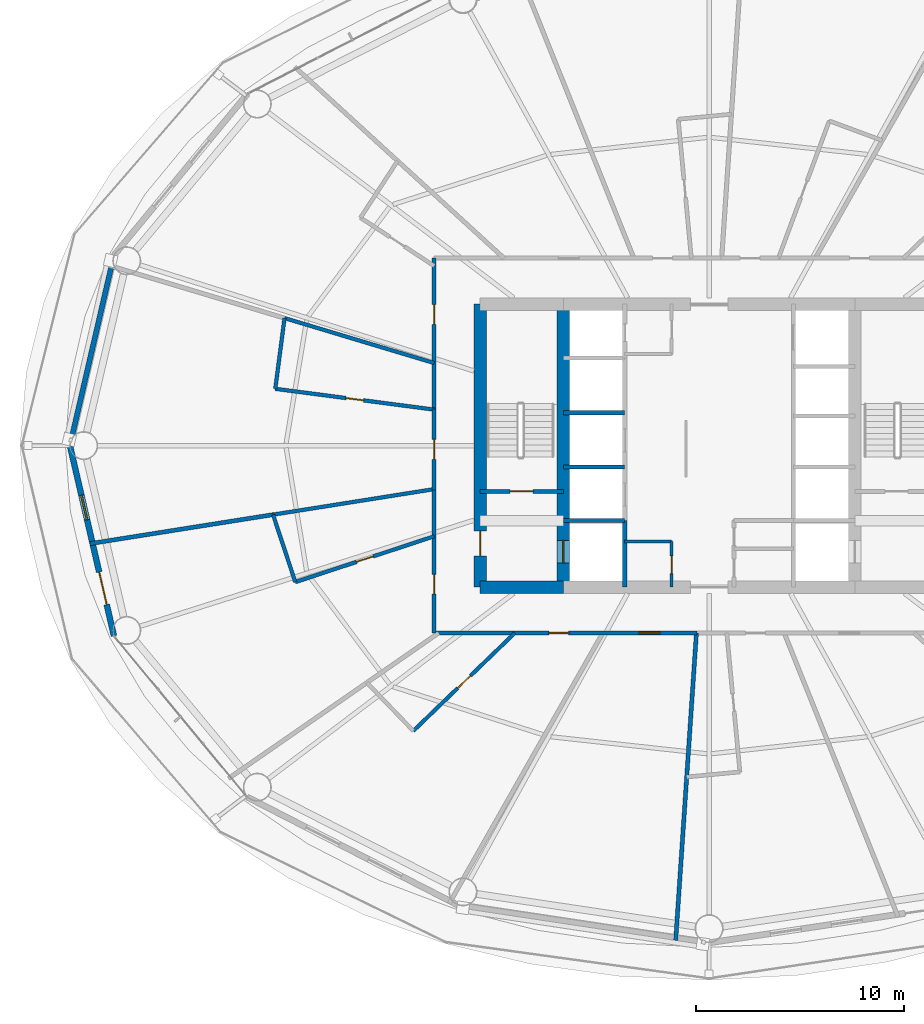
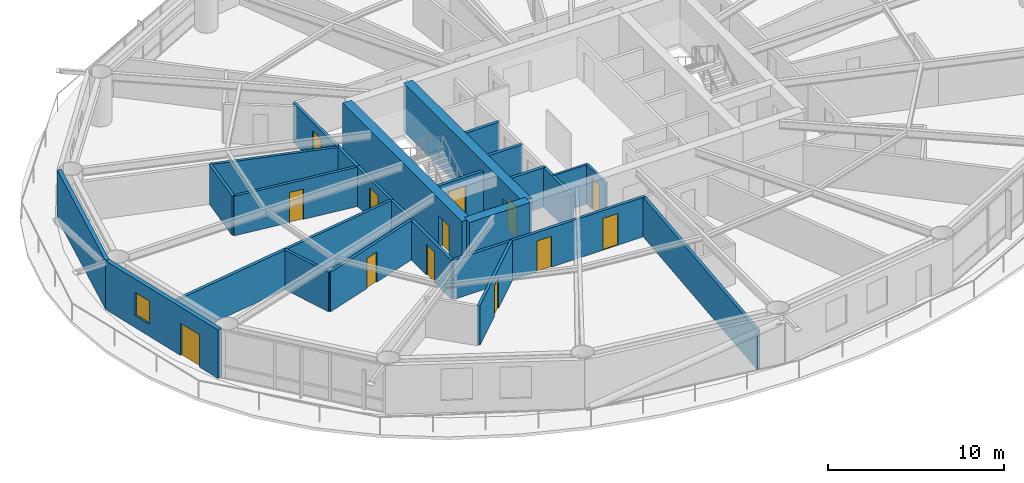
# One storey, part 20 of 26: 25 walls, 13 doors, 1 window, 14 openings.
"""IFC4 building model written with IfcOpenShell, lengths in metres."""

from ifc_helpers import new_model, si_unit, direction, frame, frame_2d, origin, place, context, subcontext, project, spatial, rectangle, extrude, material, layer, layer_set, type_object, element, fill, save


model = new_model("IFC4")

# Units and contexts
model_context = context("Model", 3, precision=1e-05, world=origin(), true_north=direction((0.0, 1.0)))
body_context = subcontext(model_context, "Body", "Model", "MODEL_VIEW")
ifc_project = project(units=[si_unit("LENGTHUNIT", "METRE"), si_unit("AREAUNIT", "SQUARE_METRE"), si_unit("VOLUMEUNIT", "CUBIC_METRE"), si_unit("PLANEANGLEUNIT", "RADIAN"), si_unit("MASSUNIT", "GRAM", prefix="KILO")], contexts=[model_context])

# Site, building, storey
site_placement = place(None, origin())
site = spatial("IfcSite", under=ifc_project, at=site_placement, CompositionType="ELEMENT")
building_placement = place(site_placement, origin())
building = spatial("IfcBuilding", under=site, at=building_placement, Name="Sarneth Arch Tower", CompositionType="ELEMENT")
storey_placement = place(building_placement, frame((0.0, 0.0, 60.60009765625)))
storey = spatial("IfcBuildingStorey", under=building, at=storey_placement, Name="L14", CompositionType="ELEMENT", Elevation=60.60009765625)

# Wall
ifc_material_1 = material(Name="Concrete C60/75", Category="concrete")
ifc_layer_1 = layer(ifc_material_1, 0.60009765625)
ifc_layer_set_1 = layer_set([ifc_layer_1], Name="Concrete C60/75")
wall_type_1 = type_object("IfcWallType", Name="WALL-CORE-600", PredefinedType="SHEAR", material=ifc_layer_set_1)
wall_1_placement = place(storey_placement, frame((37.0, 35.199951171875, 0.0), z_axis=(0.0, 0.0, 1.0), x_axis=(1.0, 0.0, 0.0)))
element("IfcWall", 1, at=wall_1_placement, inside=storey, type_object=wall_type_1, Name="L14 Core shear wall S-W", PredefinedType="SHEAR", context=body_context, shape_type="SweptSolid", body=[
    extrude(rectangle(XDim=4.0, YDim=0.60009765625, at=frame_2d((2.0, 0.0))), origin(), (0.0, 0.0, 1.0), 3.3798828125),
])

# Wall, opening, door
wall_2_placement = place(storey_placement, frame((37.0, 35.199951171875, 0.0), z_axis=(0.0, 0.0, 1.0), x_axis=(0.0, 1.0, 0.0)))
wall_2 = element("IfcWall", 2, at=wall_2_placement, inside=storey, type_object=wall_type_1, Name="L14 Core shear wall W", PredefinedType="SHEAR", context=body_context, shape_type="SweptSolid", body=[
    extrude(rectangle(XDim=13.60009765625, YDim=0.60009765625, at=frame_2d((6.800048828125, 0.0))), origin(), (0.0, 0.0, 1.0), 3.3798828125),
])
opening_1_placement = place(wall_2_placement, frame((1.5, 0.0, 0.0)))
opening_1 = element("IfcOpeningElement", 3, at=opening_1_placement, cuts=wall_2, Name="Opening FD-02", PredefinedType="OPENING", context=body_context, shape_type="SweptSolid", body=[
    extrude(rectangle(XDim=1.199951171875, YDim=2.14990234375, at=frame_2d((0.60009765625, 1.074951171875))), frame((0.0, 0.31005859375, 0.0), z_axis=(0.0, -1.0, 0.0), x_axis=(1.0, 0.0, 0.0)), (0.0, 0.0, 1.0), 0.6201171875),
])
ifc_material_2 = material(Name="Galvanised Steel S275 fire door set", Category="steel")
door_type_1 = type_object("IfcDoorType", Name="DR-FD90-1200", OperationType="SINGLE_SWING_LEFT", PredefinedType="DOOR", material=ifc_material_2)
door_1_placement = place(opening_1_placement, origin())
door_1 = element("IfcDoor", 4, at=door_1_placement, inside=storey, type_object=door_type_1, Name="L14 Firefighting lobby 1 exit door", OperationType="SINGLE_SWING_LEFT", OverallHeight=2.14990234375, OverallWidth=1.199951171875, PredefinedType="DOOR", context=body_context, shape_type="SweptSolid", body=[
    extrude(rectangle(XDim=1.199951171875, YDim=2.14990234375, at=frame_2d((0.60009765625, 1.074951171875))), frame((0.0, 0.02490234375, 0.0), z_axis=(0.0, -1.0, 0.0), x_axis=(1.0, 0.0, 0.0)), (0.0, 0.0, 1.0), 0.050048828125),
])
fill(opening_1, door_1)

wall_3_placement = place(storey_placement, frame((41.0, 35.199951171875, 0.0), z_axis=(0.0, 0.0, 1.0), x_axis=(0.0, 1.0, 0.0)))
wall_3 = element("IfcWall", 5, at=wall_3_placement, inside=storey, type_object=wall_type_1, Name="L14 Core shear wall WEB-W", PredefinedType="SHEAR", context=body_context, shape_type="SweptSolid", body=[
    extrude(rectangle(XDim=13.60009765625, YDim=0.60009765625, at=frame_2d((6.800048828125, 0.0))), origin(), (0.0, 0.0, 1.0), 3.3798828125),
])
opening_2_placement = place(wall_3_placement, frame((1.14990234375, 0.0, 0.0)))
opening_2 = element("IfcOpeningElement", 6, at=opening_2_placement, cuts=wall_3, Name="Opening LD-1", PredefinedType="OPENING", context=body_context, shape_type="SweptSolid", body=[
    extrude(rectangle(XDim=1.10009765625, YDim=2.199951171875, at=frame_2d((0.550048828125, 1.10009765625))), frame((0.0, 0.31005859375, 0.0), z_axis=(0.0, -1.0, 0.0), x_axis=(1.0, 0.0, 0.0)), (0.0, 0.0, 1.0), 0.6201171875),
])
ifc_material_3 = material(Name="Brushed Stainless Steel 304 lift landing door", Category="steel")
door_type_2 = type_object("IfcDoorType", Name="DR-LIFT-SLIDE-1100", OperationType="SLIDING_TO_LEFT", PredefinedType="DOOR", material=ifc_material_3)
door_2_placement = place(opening_2_placement, origin())
door_2 = element("IfcDoor", 7, at=door_2_placement, inside=storey, type_object=door_type_2, Name="L14 Firefighting lift landing door FL-1", OperationType="SLIDING_TO_LEFT", OverallHeight=2.199951171875, OverallWidth=1.10009765625, PredefinedType="DOOR", context=body_context, shape_type="SweptSolid", body=[
    extrude(rectangle(XDim=1.10009765625, YDim=2.199951171875, at=frame_2d((0.550048828125, 1.10009765625))), frame((0.0, 0.02490234375, 0.0), z_axis=(0.0, -1.0, 0.0), x_axis=(1.0, 0.0, 0.0)), (0.0, 0.0, 1.0), 0.050048828125),
])
fill(opening_2, door_2)

ifc_material_4 = material(Name="Double steel-stud corridor fire wall", Category="steel")
ifc_layer_2 = layer(ifc_material_4, 0.18994140625)
ifc_layer_set_2 = layer_set([ifc_layer_2], Name="Double steel-stud corridor fire wall")
wall_type_2 = type_object("IfcWallType", Name="WALL-CORR-190", PredefinedType="PARTITIONING", material=ifc_layer_set_2)
wall_4_placement = place(storey_placement, frame((34.800048828125, 43.727783203125, 0.0), z_axis=(0.0, 0.0, 1.0), x_axis=(0.0, 1.0, 0.0)))
wall_4 = element("IfcWall", 8, at=wall_4_placement, inside=storey, type_object=wall_type_2, Name="L14 Interior partition W-L14-TP-010", PredefinedType="PARTITIONING", context=body_context, shape_type="SweptSolid", body=[
    extrude(rectangle(XDim=7.272216796875, YDim=0.18994140625, at=frame_2d((3.63623046875, 0.0))), origin(), (0.0, 0.0, 1.0), 2.739990234375),
])
opening_3_placement = place(wall_4_placement, frame((4.095703125, 0.0, 0.0)))
opening_3 = element("IfcOpeningElement", 9, at=opening_3_placement, cuts=wall_4, Name="Opening FD-09", PredefinedType="OPENING", context=body_context, shape_type="SweptSolid", body=[
    extrude(rectangle(XDim=0.949951171875, YDim=2.14990234375, at=frame_2d((0.47509765625, 1.074951171875))), frame((0.0, 0.10498046875, 0.0), z_axis=(0.0, -1.0, 0.0), x_axis=(1.0, 0.0, 0.0)), (0.0, 0.0, 1.0), 0.2099609375),
])
ifc_material_5 = material(Name="Hardwood timber hotel entrance fire door", Category="wood")
door_type_3 = type_object("IfcDoorType", Name="DR-FD60-950", OperationType="SINGLE_SWING_RIGHT", PredefinedType="DOOR", material=ifc_material_5)
door_3_placement = place(opening_3_placement, origin())
door_3 = element("IfcDoor", 10, at=door_3_placement, inside=storey, type_object=door_type_3, Name="L14 Interior door DR-L14-KEY-06", OperationType="SINGLE_SWING_RIGHT", OverallHeight=2.14990234375, OverallWidth=0.949951171875, PredefinedType="DOOR", context=body_context, shape_type="SweptSolid", body=[
    extrude(rectangle(XDim=0.949951171875, YDim=2.14990234375, at=frame_2d((0.47509765625, 1.074951171875))), frame((0.0, 0.02490234375, 0.0), z_axis=(0.0, -1.0, 0.0), x_axis=(1.0, 0.0, 0.0)), (0.0, 0.0, 1.0), 0.050048828125),
])
fill(opening_3, door_3)

wall_5_placement = place(storey_placement, frame((34.800048828125, 33.0, 0.0), z_axis=(0.0, 0.0, 1.0), x_axis=(0.0, 1.0, 0.0)))
wall_5 = element("IfcWall", 11, at=wall_5_placement, inside=storey, type_object=wall_type_2, Name="L14 Interior partition W-L14-TP-016", PredefinedType="PARTITIONING", context=body_context, shape_type="SweptSolid", body=[
    extrude(rectangle(XDim=6.941650390625, YDim=0.18994140625, at=frame_2d((3.470703125, 0.0))), origin(), (0.0, 0.0, 1.0), 2.739990234375),
])
opening_4_placement = place(wall_5_placement, frame((1.864501953125, 0.0, 0.0)))
opening_4 = element("IfcOpeningElement", 12, at=opening_4_placement, cuts=wall_5, Name="Opening FD-09", PredefinedType="OPENING", context=body_context, shape_type="SweptSolid", body=[
    extrude(rectangle(XDim=0.949951171875, YDim=2.14990234375, at=frame_2d((0.47509765625, 1.074951171875))), frame((0.0, 0.10498046875, 0.0), z_axis=(0.0, -1.0, 0.0), x_axis=(1.0, 0.0, 0.0)), (0.0, 0.0, 1.0), 0.2099609375),
])
door_4_placement = place(opening_4_placement, origin())
door_4 = element("IfcDoor", 13, at=door_4_placement, inside=storey, type_object=door_type_3, Name="L14 Interior door DR-L14-KEY-08", OperationType="SINGLE_SWING_LEFT", OverallHeight=2.14990234375, OverallWidth=0.949951171875, PredefinedType="DOOR", context=body_context, shape_type="SweptSolid", body=[
    extrude(rectangle(XDim=0.949951171875, YDim=2.14990234375, at=frame_2d((0.47509765625, 1.074951171875))), frame((0.0, 0.02490234375, 0.0), z_axis=(0.0, -1.0, 0.0), x_axis=(1.0, 0.0, 0.0)), (0.0, 0.0, 1.0), 0.050048828125),
])
fill(opening_4, door_4)

# Wall, openings, doors
wall_6_placement = place(storey_placement, frame((47.42529296875, 33.0, 0.0), z_axis=(0.0, 0.0, 1.0), x_axis=(-1.0, 0.0, 0.0)))
wall_6 = element("IfcWall", 14, at=wall_6_placement, inside=storey, type_object=wall_type_2, Name="L14 Interior partition W-L14-TP-020", PredefinedType="PARTITIONING", context=body_context, shape_type="SweptSolid", body=[
    extrude(rectangle(XDim=12.625244140625, YDim=0.18994140625, at=frame_2d((6.3125, 0.0))), origin(), (0.0, 0.0, 1.0), 2.739990234375),
])
opening_5_placement = place(wall_6_placement, frame((1.784423828125, 0.0, 0.0)))
opening_5 = element("IfcOpeningElement", 15, at=opening_5_placement, cuts=wall_6, Name="Opening FD-08", PredefinedType="OPENING", context=body_context, shape_type="SweptSolid", body=[
    extrude(rectangle(XDim=1.0, YDim=2.199951171875, at=frame_2d((0.5, 1.10009765625))), frame((0.0, 0.10498046875, 0.0), z_axis=(0.0, -1.0, 0.0), x_axis=(1.0, 0.0, 0.0)), (0.0, 0.0, 1.0), 0.2099609375),
])
opening_6_placement = place(wall_6_placement, frame((6.1728515625, 0.0, 0.0)))
opening_6 = element("IfcOpeningElement", 16, at=opening_6_placement, cuts=wall_6, Name="Opening FD-09", PredefinedType="OPENING", context=body_context, shape_type="SweptSolid", body=[
    extrude(rectangle(XDim=0.949951171875, YDim=2.14990234375, at=frame_2d((0.47509765625, 1.074951171875))), frame((0.0, 0.10498046875, 0.0), z_axis=(0.0, -1.0, 0.0), x_axis=(1.0, 0.0, 0.0)), (0.0, 0.0, 1.0), 0.2099609375),
])
ifc_material_6 = material(Name="Hardwood timber acoustic fire door", Category="wood")
door_type_4 = type_object("IfcDoorType", Name="DR-FD60-1000", OperationType="SINGLE_SWING_LEFT", PredefinedType="DOOR", material=ifc_material_6)
door_5_placement = place(opening_5_placement, origin())
door_5 = element("IfcDoor", 17, at=door_5_placement, inside=storey, type_object=door_type_4, Name="L14 Interior door DR-L14-AMN-10", OperationType="SINGLE_SWING_RIGHT", OverallHeight=2.199951171875, OverallWidth=1.0, PredefinedType="DOOR", context=body_context, shape_type="SweptSolid", body=[
    extrude(rectangle(XDim=1.0, YDim=2.199951171875, at=frame_2d((0.5, 1.10009765625))), frame((0.0, 0.02490234375, 0.0), z_axis=(0.0, -1.0, 0.0), x_axis=(1.0, 0.0, 0.0)), (0.0, 0.0, 1.0), 0.050048828125),
])
fill(opening_5, door_5)
door_6_placement = place(opening_6_placement, origin())
door_6 = element("IfcDoor", 18, at=door_6_placement, inside=storey, type_object=door_type_3, Name="L14 Interior door DR-L14-KEY-09", OperationType="SINGLE_SWING_RIGHT", OverallHeight=2.14990234375, OverallWidth=0.949951171875, PredefinedType="DOOR", context=body_context, shape_type="SweptSolid", body=[
    extrude(rectangle(XDim=0.949951171875, YDim=2.14990234375, at=frame_2d((0.47509765625, 1.074951171875))), frame((0.0, 0.02490234375, 0.0), z_axis=(0.0, -1.0, 0.0), x_axis=(1.0, 0.0, 0.0)), (0.0, 0.0, 1.0), 0.050048828125),
])
fill(opening_6, door_6)

# Wall, opening, door
wall_7_placement = place(storey_placement, frame((34.800048828125, 39.876953125, 0.0), z_axis=(0.0, 0.0, 1.0), x_axis=(0.0, 1.0, 0.0)))
wall_7 = element("IfcWall", 19, at=wall_7_placement, inside=storey, type_object=wall_type_2, Name="L14 Interior partition W-L14-TP-013", PredefinedType="PARTITIONING", context=body_context, shape_type="SweptSolid", body=[
    extrude(rectangle(XDim=3.883056640625, YDim=0.18994140625, at=frame_2d((1.94140625, 0.0))), origin(), (0.0, 0.0, 1.0), 2.739990234375),
])
opening_7_placement = place(wall_7_placement, frame((1.466552734375, 0.0, 0.0)))
opening_7 = element("IfcOpeningElement", 20, at=opening_7_placement, cuts=wall_7, Name="Opening FD-09", PredefinedType="OPENING", context=body_context, shape_type="SweptSolid", body=[
    extrude(rectangle(XDim=0.949951171875, YDim=2.14990234375, at=frame_2d((0.47509765625, 1.074951171875))), frame((0.0, 0.10498046875, 0.0), z_axis=(0.0, -1.0, 0.0), x_axis=(1.0, 0.0, 0.0)), (0.0, 0.0, 1.0), 0.2099609375),
])
door_7_placement = place(opening_7_placement, origin())
door_7 = element("IfcDoor", 21, at=door_7_placement, inside=storey, type_object=door_type_3, Name="L14 Interior door DR-L14-KEY-07", OperationType="SINGLE_SWING_LEFT", OverallHeight=2.14990234375, OverallWidth=0.949951171875, PredefinedType="DOOR", context=body_context, shape_type="SweptSolid", body=[
    extrude(rectangle(XDim=0.949951171875, YDim=2.14990234375, at=frame_2d((0.47509765625, 1.074951171875))), frame((0.0, 0.02490234375, 0.0), z_axis=(0.0, -1.0, 0.0), x_axis=(1.0, 0.0, 0.0)), (0.0, 0.0, 1.0), 0.050048828125),
])
fill(opening_7, door_7)

# Wall
ifc_material_7 = material(Name="Extruded terracotta rainscreen on Concrete C40/50 backing", Category="masonry")
ifc_layer_3 = layer(ifc_material_7, 0.25)
ifc_layer_set_3 = layer_set([ifc_layer_3], Name="Extruded terracotta rainscreen on Concrete C40/50 backing")
wall_type_3 = type_object("IfcWallType", Name="WALL-EXT-SPAND-250", PredefinedType="SOLIDWALL", material=ifc_layer_set_3)
wall_8_placement = place(storey_placement, frame((19.4189453125, 51.138427734375, 0.0), z_axis=(0.0, 0.0, 1.0), x_axis=(-0.225454452941, -0.974253709076, 0.0)))
element("IfcWall", 22, at=wall_8_placement, inside=storey, type_object=wall_type_3, Name="L14 Terracotta perimeter wall 08", PredefinedType="SOLIDWALL", context=body_context, shape_type="SweptSolid", body=[
    extrude(rectangle(XDim=9.3798828125, YDim=0.25, at=frame_2d((4.68994140625, 0.0))), origin(), (0.0, 0.0, 1.0), 3.3798828125),
])

# Wall, openings, door, window
ifc_material_8 = material(Name="Extruded terracotta rainscreen on Concrete C40/50 backing", Category="masonry")
ifc_layer_4 = layer(ifc_material_8, 0.280029296875)
ifc_layer_set_4 = layer_set([ifc_layer_4], Name="Extruded terracotta rainscreen on Concrete C40/50 backing")
wall_type_4 = type_object("IfcWallType", Name="WALL-EXT-TERRA-280", PredefinedType="SOLIDWALL", material=ifc_layer_set_4)
wall_9_placement = place(storey_placement, frame((17.30419921875, 42.0, 0.0), z_axis=(0.0, 0.0, 1.0), x_axis=(0.225454452941, -0.974253709076, 0.0)))
wall_9 = element("IfcWall", 23, at=wall_9_placement, inside=storey, type_object=wall_type_4, Name="L14 Terracotta perimeter wall 09", PredefinedType="SOLIDWALL", context=body_context, shape_type="SweptSolid", body=[
    extrude(rectangle(XDim=9.3798828125, YDim=0.280029296875, at=frame_2d((4.68994140625, 0.0))), origin(), (0.0, 0.0, 1.0), 3.3798828125),
])
opening_8_placement = place(wall_9_placement, frame((2.4521484375, 0.0, 0.85009765625)))
opening_8 = element("IfcOpeningElement", 24, at=opening_8_placement, cuts=wall_9, Name="Opening W-10", PredefinedType="OPENING", context=body_context, shape_type="SweptSolid", body=[
    extrude(rectangle(XDim=1.199951171875, YDim=1.60009765625, at=frame_2d((0.60009765625, 0.800048828125))), frame((0.0, 0.14990234375, 0.0), z_axis=(0.0, -1.0, 0.0), x_axis=(1.0, 0.0, 0.0)), (0.0, 0.0, 1.0), 0.300048828125),
])
opening_9_placement = place(wall_9_placement, frame((6.235107421875, 0.0, 0.0)))
opening_9 = element("IfcOpeningElement", 25, at=opening_9_placement, cuts=wall_9, Name="Opening BD-1", PredefinedType="OPENING", context=body_context, shape_type="SweptSolid", body=[
    extrude(rectangle(XDim=1.60009765625, YDim=2.25, at=frame_2d((0.800048828125, 1.125))), frame((0.0, 0.14990234375, 0.0), z_axis=(0.0, -1.0, 0.0), x_axis=(1.0, 0.0, 0.0)), (0.0, 0.0, 1.0), 0.300048828125),
])
ifc_material_9 = material(Name="Thermally broken Aluminium 6063-T6 and laminated safety glass", Category="aluminium")
door_type_5 = type_object("IfcDoorType", Name="DR-BALC-GLZ-1600", OperationType="DOUBLE_DOOR_SINGLE_SWING", PredefinedType="DOOR", material=ifc_material_9)
door_8_placement = place(opening_9_placement, origin())
door_8 = element("IfcDoor", 26, at=door_8_placement, inside=storey, type_object=door_type_5, Name="L14 Balcony glazed door 09", OperationType="DOUBLE_DOOR_SINGLE_SWING", OverallHeight=2.25, OverallWidth=1.60009765625, PredefinedType="DOOR", context=body_context, shape_type="SweptSolid", body=[
    extrude(rectangle(XDim=1.60009765625, YDim=2.25, at=frame_2d((0.800048828125, 1.125))), frame((0.0, 0.02490234375, 0.0), z_axis=(0.0, -1.0, 0.0), x_axis=(1.0, 0.0, 0.0)), (0.0, 0.0, 1.0), 0.050048828125),
])
fill(opening_9, door_8)
ifc_material_10 = material(Name="Thermally broken Aluminium 6063-T6 and low-e laminated IGU", Category="aluminium")
window_type = type_object("IfcWindowType", Name="WIN-TWR-1200x1600", PartitioningType="SINGLE_PANEL", PredefinedType="WINDOW", material=ifc_material_10)
window_placement = place(opening_8_placement, origin())
window = element("IfcWindow", 27, at=window_placement, inside=storey, type_object=window_type, Name="L14 Exterior window 09A", OverallHeight=1.60009765625, OverallWidth=1.199951171875, PartitioningType="SINGLE_PANEL", PredefinedType="WINDOW", context=body_context, shape_type="SweptSolid", body=[
    extrude(rectangle(XDim=1.199951171875, YDim=1.60009765625, at=frame_2d((0.60009765625, 0.800048828125))), frame((0.0, 0.030029296875, 0.0), z_axis=(0.0, -1.0, 0.0), x_axis=(1.0, 0.0, 0.0)), (0.0, 0.0, 1.0), 0.06005859375),
])
fill(opening_8, window)

# Wall
ifc_material_11 = material(Name="Acoustic gypsum stud partition", Category="gypsum")
ifc_layer_5 = layer(ifc_material_11, 0.14990234375)
ifc_layer_set_5 = layer_set([ifc_layer_5], Name="Acoustic gypsum stud partition")
wall_type_5 = type_object("IfcWallType", Name="WALL-PART-150", PredefinedType="PARTITIONING", material=ifc_layer_set_5)
wall_10_placement = place(storey_placement, frame((43.949951171875, 37.39990234375, 0.0), z_axis=(0.0, 0.0, 1.0), x_axis=(1.0, 0.0, 0.0)))
element("IfcWall", 28, at=wall_10_placement, inside=storey, type_object=wall_type_5, Name="L14 Interior partition W-L14-CSUP1-N", PredefinedType="PARTITIONING", context=body_context, shape_type="SweptSolid", body=[
    extrude(rectangle(XDim=2.25, YDim=0.14990234375, at=frame_2d((1.125, 0.0))), origin(), (0.0, 0.0, 1.0), 2.739990234375),
])

# Wall, opening, door
wall_11_placement = place(storey_placement, frame((46.199951171875, 35.199951171875, 0.0), z_axis=(0.0, 0.0, 1.0), x_axis=(0.0, 1.0, 0.0)))
wall_11 = element("IfcWall", 29, at=wall_11_placement, inside=storey, type_object=wall_type_5, Name="L14 Interior partition W-L14-CSUP1-E", PredefinedType="PARTITIONING", context=body_context, shape_type="SweptSolid", body=[
    extrude(rectangle(XDim=2.199951171875, YDim=0.14990234375, at=frame_2d((1.10009765625, 0.0))), origin(), (0.0, 0.0, 1.0), 2.739990234375),
])
opening_10_placement = place(wall_11_placement, frame((0.64990234375, 0.0, 0.0)))
opening_10 = element("IfcOpeningElement", 30, at=opening_10_placement, cuts=wall_11, Name="Opening FD-11", PredefinedType="OPENING", context=body_context, shape_type="SweptSolid", body=[
    extrude(rectangle(XDim=0.85009765625, YDim=2.14990234375, at=frame_2d((0.425048828125, 1.074951171875))), frame((0.0, 0.0849609375, 0.0), z_axis=(0.0, -1.0, 0.0), x_axis=(1.0, 0.0, 0.0)), (0.0, 0.0, 1.0), 0.169921875),
])
ifc_material_12 = material(Name="Galvanised Steel S275 closet fire door", Category="steel")
door_type_6 = type_object("IfcDoorType", Name="DR-FD60-850", OperationType="SINGLE_SWING_LEFT", PredefinedType="DOOR", material=ifc_material_12)
door_9_placement = place(opening_10_placement, origin())
door_9 = element("IfcDoor", 31, at=door_9_placement, inside=storey, type_object=door_type_6, Name="L14 Interior door DR-L14-CSUP1", OperationType="SINGLE_SWING_LEFT", OverallHeight=2.14990234375, OverallWidth=0.85009765625, PredefinedType="DOOR", context=body_context, shape_type="SweptSolid", body=[
    extrude(rectangle(XDim=0.85009765625, YDim=2.14990234375, at=frame_2d((0.425048828125, 1.074951171875))), frame((0.0, 0.02490234375, 0.0), z_axis=(0.0, -1.0, 0.0), x_axis=(1.0, 0.0, 0.0)), (0.0, 0.0, 1.0), 0.050048828125),
])
fill(opening_10, door_9)

# Wall
ifc_material_13 = material(Name="Moisture-resistant plumbing chase wall", Category="gypsum")
ifc_layer_6 = layer(ifc_material_13, 0.179931640625)
ifc_layer_set_6 = layer_set([ifc_layer_6], Name="Moisture-resistant plumbing chase wall")
wall_type_6 = type_object("IfcWallType", Name="WALL-PLUMB-180", PredefinedType="PLUMBINGWALL", material=ifc_layer_set_6)
wall_12_placement = place(storey_placement, frame((27.059814453125, 38.683349609375, 0.0), z_axis=(0.0, 0.0, 1.0), x_axis=(0.987690363599, 0.156421691762, 0.0)))
element("IfcWall", 32, at=wall_12_placement, inside=storey, type_object=wall_type_6, Name="L14 Interior partition W-L14-TP-052", PredefinedType="PLUMBINGWALL", context=body_context, shape_type="SweptSolid", body=[
    extrude(rectangle(XDim=7.836669921875, YDim=0.179931640625, at=frame_2d((3.91845703125, 0.0))), origin(), (0.0, 0.0, 1.0), 2.739990234375),
])

# Wall, opening, door
wall_13_placement = place(storey_placement, frame((34.800048828125, 43.727783203125, 0.0), z_axis=(0.0, 0.0, 1.0), x_axis=(-0.991543548491, 0.129774386708, 0.0)))
wall_13 = element("IfcWall", 33, at=wall_13_placement, inside=storey, type_object=wall_type_6, Name="L14 Interior partition W-L14-TP-049", PredefinedType="PLUMBINGWALL", context=body_context, shape_type="SweptSolid", body=[
    extrude(rectangle(XDim=7.6982421875, YDim=0.179931640625, at=frame_2d((3.84912109375, 0.0))), origin(), (0.0, 0.0, 1.0), 2.739990234375),
])
opening_11_placement = place(wall_13_placement, frame((3.424072265625, 0.0, 0.0)))
opening_11 = element("IfcOpeningElement", 34, at=opening_11_placement, cuts=wall_13, Name="Opening ID-02", PredefinedType="OPENING", context=body_context, shape_type="SweptSolid", body=[
    extrude(rectangle(XDim=0.85009765625, YDim=2.10009765625, at=frame_2d((0.425048828125, 1.050048828125))), frame((0.0, 0.099853515625, 0.0), z_axis=(0.0, -1.0, 0.0), x_axis=(1.0, 0.0, 0.0)), (0.0, 0.0, 1.0), 0.199951171875),
])
ifc_material_14 = material(Name="Moisture-resistant bathroom timber door", Category="wood")
door_type_7 = type_object("IfcDoorType", Name="DR-INT-850", OperationType="SINGLE_SWING_RIGHT", PredefinedType="DOOR", material=ifc_material_14)
door_10_placement = place(opening_11_placement, origin())
door_10 = element("IfcDoor", 35, at=door_10_placement, inside=storey, type_object=door_type_7, Name="L14 Interior door DR-L14-ENS-07", OperationType="SINGLE_SWING_LEFT", OverallHeight=2.10009765625, OverallWidth=0.85009765625, PredefinedType="DOOR", context=body_context, shape_type="SweptSolid", body=[
    extrude(rectangle(XDim=0.85009765625, YDim=2.10009765625, at=frame_2d((0.425048828125, 1.050048828125))), frame((0.0, 0.02490234375, 0.0), z_axis=(0.0, -1.0, 0.0), x_axis=(1.0, 0.0, 0.0)), (0.0, 0.0, 1.0), 0.050048828125),
])
fill(opening_11, door_10)

# Wall
wall_14_placement = place(storey_placement, frame((27.611572265625, 48.122314453125, 0.0), z_axis=(0.0, 0.0, 1.0), x_axis=(0.95775642604, -0.28758064674, 0.0)))
element("IfcWall", 36, at=wall_14_placement, inside=storey, type_object=wall_type_6, Name="L14 Interior partition W-L14-TP-048", PredefinedType="PLUMBINGWALL", context=body_context, shape_type="SweptSolid", body=[
    extrude(rectangle(XDim=7.505615234375, YDim=0.179931640625, at=frame_2d((3.7529296875, 0.0))), origin(), (0.0, 0.0, 1.0), 2.739990234375),
])

# Wall, opening, door
wall_15_placement = place(storey_placement, frame((34.800048828125, 37.6455078125, 0.0), z_axis=(0.0, 0.0, 1.0), x_axis=(-0.949662150081, -0.313275917849, 0.0)))
wall_15 = element("IfcWall", 37, at=wall_15_placement, inside=storey, type_object=wall_type_6, Name="L14 Interior partition W-L14-TP-053", PredefinedType="PLUMBINGWALL", context=body_context, shape_type="SweptSolid", body=[
    extrude(rectangle(XDim=7.025634765625, YDim=0.179931640625, at=frame_2d((3.5126953125, 0.0))), origin(), (0.0, 0.0, 1.0), 2.739990234375),
])
opening_12_placement = place(wall_15_placement, frame((3.087646484375, 0.0, 0.0)))
opening_12 = element("IfcOpeningElement", 38, at=opening_12_placement, cuts=wall_15, Name="Opening ID-02", PredefinedType="OPENING", context=body_context, shape_type="SweptSolid", body=[
    extrude(rectangle(XDim=0.85009765625, YDim=2.10009765625, at=frame_2d((0.425048828125, 1.050048828125))), frame((0.0, 0.099853515625, 0.0), z_axis=(0.0, -1.0, 0.0), x_axis=(1.0, 0.0, 0.0)), (0.0, 0.0, 1.0), 0.199951171875),
])
door_11_placement = place(opening_12_placement, origin())
door_11 = element("IfcDoor", 39, at=door_11_placement, inside=storey, type_object=door_type_7, Name="L14 Interior door DR-L14-ENS-08", OperationType="SINGLE_SWING_LEFT", OverallHeight=2.10009765625, OverallWidth=0.85009765625, PredefinedType="DOOR", context=body_context, shape_type="SweptSolid", body=[
    extrude(rectangle(XDim=0.85009765625, YDim=2.10009765625, at=frame_2d((0.425048828125, 1.050048828125))), frame((0.0, 0.02490234375, 0.0), z_axis=(0.0, -1.0, 0.0), x_axis=(1.0, 0.0, 0.0)), (0.0, 0.0, 1.0), 0.050048828125),
])
fill(opening_12, door_11)

wall_16_placement = place(storey_placement, frame((33.798095703125, 28.298828125, 0.0), z_axis=(0.0, 0.0, 1.0), x_axis=(0.719667322044, 0.69431905172, 0.0)))
wall_16 = element("IfcWall", 40, at=wall_16_placement, inside=storey, type_object=wall_type_6, Name="L14 Interior partition W-L14-TP-058", PredefinedType="PLUMBINGWALL", context=body_context, shape_type="SweptSolid", body=[
    extrude(rectangle(XDim=6.77099609375, YDim=0.179931640625, at=frame_2d((3.385498046875, 0.0))), origin(), (0.0, 0.0, 1.0), 2.739990234375),
])
opening_13_placement = place(wall_16_placement, frame((2.96044921875, 0.0, 0.0)))
opening_13 = element("IfcOpeningElement", 41, at=opening_13_placement, cuts=wall_16, Name="Opening ID-02", PredefinedType="OPENING", context=body_context, shape_type="SweptSolid", body=[
    extrude(rectangle(XDim=0.85009765625, YDim=2.10009765625, at=frame_2d((0.425048828125, 1.050048828125))), frame((0.0, 0.099853515625, 0.0), z_axis=(0.0, -1.0, 0.0), x_axis=(1.0, 0.0, 0.0)), (0.0, 0.0, 1.0), 0.199951171875),
])
door_12_placement = place(opening_13_placement, origin())
door_12 = element("IfcDoor", 42, at=door_12_placement, inside=storey, type_object=door_type_7, Name="L14 Interior door DR-L14-ENS-09", OperationType="SINGLE_SWING_LEFT", OverallHeight=2.10009765625, OverallWidth=0.85009765625, PredefinedType="DOOR", context=body_context, shape_type="SweptSolid", body=[
    extrude(rectangle(XDim=0.85009765625, YDim=2.10009765625, at=frame_2d((0.425048828125, 1.050048828125))), frame((0.0, 0.02490234375, 0.0), z_axis=(0.0, -1.0, 0.0), x_axis=(1.0, 0.0, 0.0)), (0.0, 0.0, 1.0), 0.050048828125),
])
fill(opening_13, door_12)

# Walls
wall_17_placement = place(storey_placement, frame((27.1669921875, 44.726806640625, 0.0), z_axis=(0.0, 0.0, 1.0), x_axis=(0.129823772588, 0.991537083558, 0.0)))
element("IfcWall", 43, at=wall_17_placement, inside=storey, type_object=wall_type_6, Name="L14 Interior partition W-L14-TP-050", PredefinedType="PLUMBINGWALL", context=body_context, shape_type="SweptSolid", body=[
    extrude(rectangle(XDim=3.424560546875, YDim=0.179931640625, at=frame_2d((1.71240234375, 0.0))), origin(), (0.0, 0.0, 1.0), 2.739990234375),
])
wall_18_placement = place(storey_placement, frame((28.128173828125, 35.444580078125, 0.0), z_axis=(0.0, 0.0, 1.0), x_axis=(-0.313262541659, 0.949666562533, 0.0)))
element("IfcWall", 44, at=wall_18_placement, inside=storey, type_object=wall_type_6, Name="L14 Interior partition W-L14-TP-054", PredefinedType="PLUMBINGWALL", context=body_context, shape_type="SweptSolid", body=[
    extrude(rectangle(XDim=3.410400390625, YDim=0.179931640625, at=frame_2d((1.705078125, 0.0))), origin(), (0.0, 0.0, 1.0), 2.739990234375),
])

# Wall, opening, door
ifc_material_15 = material(Name="Aerated concrete blockwork C25/30", Category="masonry")
ifc_layer_7 = layer(ifc_material_15, 0.199951171875)
ifc_layer_set_7 = layer_set([ifc_layer_7], Name="Aerated concrete blockwork C25/30")
wall_type_7 = type_object("IfcWallType", Name="WALL-SHAFT-200", PredefinedType="SOLIDWALL", material=ifc_layer_set_7)
wall_19_placement = place(storey_placement, frame((37.0, 39.800048828125, 0.0), z_axis=(0.0, 0.0, 1.0), x_axis=(1.0, 0.0, 0.0)))
wall_19 = element("IfcWall", 45, at=wall_19_placement, inside=storey, type_object=wall_type_7, Name="L14 Interior partition W-L14-ST1-S", PredefinedType="SOLIDWALL", context=body_context, shape_type="SweptSolid", body=[
    extrude(rectangle(XDim=4.0, YDim=0.199951171875, at=frame_2d((2.0, 0.0))), origin(), (0.0, 0.0, 1.0), 2.739990234375),
])
opening_14_placement = place(wall_19_placement, frame((1.449951171875, 0.0, 0.0)))
opening_14 = element("IfcOpeningElement", 46, at=opening_14_placement, cuts=wall_19, Name="Opening FD-03", PredefinedType="OPENING", context=body_context, shape_type="SweptSolid", body=[
    extrude(rectangle(XDim=1.10009765625, YDim=2.14990234375, at=frame_2d((0.550048828125, 1.074951171875))), frame((0.0, 0.10986328125, 0.0), z_axis=(0.0, -1.0, 0.0), x_axis=(1.0, 0.0, 0.0)), (0.0, 0.0, 1.0), 0.219970703125),
])
ifc_material_16 = material(Name="Galvanised Steel S275 fire door set", Category="steel")
door_type_8 = type_object("IfcDoorType", Name="DR-FD90-1100", OperationType="SINGLE_SWING_LEFT", PredefinedType="DOOR", material=ifc_material_16)
door_13_placement = place(opening_14_placement, origin())
door_13 = element("IfcDoor", 47, at=door_13_placement, inside=storey, type_object=door_type_8, Name="L14 Interior door DR-L14-ST1", OperationType="SINGLE_SWING_LEFT", OverallHeight=2.14990234375, OverallWidth=1.10009765625, PredefinedType="DOOR", context=body_context, shape_type="SweptSolid", body=[
    extrude(rectangle(XDim=1.10009765625, YDim=2.14990234375, at=frame_2d((0.550048828125, 1.074951171875))), frame((0.0, 0.02490234375, 0.0), z_axis=(0.0, -1.0, 0.0), x_axis=(1.0, 0.0, 0.0)), (0.0, 0.0, 1.0), 0.050048828125),
])
fill(opening_14, door_13)

# Walls
wall_20_placement = place(storey_placement, frame((43.949951171875, 35.199951171875, 0.0), z_axis=(0.0, 0.0, 1.0), x_axis=(0.0, 1.0, 0.0)))
element("IfcWall", 48, at=wall_20_placement, inside=storey, type_object=wall_type_7, Name="L14 Interior partition W-L14-FL1-E", PredefinedType="SOLIDWALL", context=body_context, shape_type="SweptSolid", body=[
    extrude(rectangle(XDim=3.199951171875, YDim=0.199951171875, at=frame_2d((1.60009765625, 0.0))), origin(), (0.0, 0.0, 1.0), 2.739990234375),
])
for number, where, z_axis, x_axis, name in (
    (49, (41.0, 38.39990234375, 0.0), (0.0, 0.0, 1.0), (1.0, 0.0, 0.0), "L14 Interior partition W-L14-FL1-N"),
    (50, (41.0, 40.97998046875, 0.0), (0.0, 0.0, 1.0), (1.0, 0.0, 0.0), "L14 Interior partition W-L14-WB-DIV-4098"),
    (51, (41.0, 43.580078125, 0.0), (0.0, 0.0, 1.0), (1.0, 0.0, 0.0), "L14 Interior partition W-L14-WB-DIV-4358"),
):
    element("IfcWall", number, at=place(storey_placement, frame(where, z_axis=z_axis, x_axis=x_axis)), inside=storey, type_object=wall_type_7, Name=name, PredefinedType="SOLIDWALL", context=body_context, shape_type="SweptSolid", body=[
        extrude(rectangle(XDim=2.949951171875, YDim=0.199951171875, at=frame_2d((1.47509765625, 0.0))), origin(), (0.0, 0.0, 1.0), 2.739990234375),
    ])
ifc_material_17 = material(Name="Double steel-stud acoustic drywall", Category="steel")
ifc_layer_8 = layer(ifc_material_17, 0.199951171875)
ifc_layer_set_8 = layer_set([ifc_layer_8], Name="Double steel-stud acoustic drywall")
wall_type_8 = type_object("IfcWallType", Name="WALL-UNIT-200", PredefinedType="PARTITIONING", material=ifc_layer_set_8)
wall_21_placement = place(storey_placement, frame((18.27099609375, 37.29150390625, 0.0), z_axis=(0.0, 0.0, 1.0), x_axis=(0.987691229297, 0.156416225401, 0.0)))
element("IfcWall", 52, at=wall_21_placement, inside=storey, type_object=wall_type_8, Name="L14 Interior partition W-L14-TP-051", PredefinedType="PARTITIONING", context=body_context, shape_type="SweptSolid", body=[
    extrude(rectangle(XDim=8.8984375, YDim=0.199951171875, at=frame_2d((4.44921875, 0.0))), origin(), (0.0, 0.0, 1.0), 2.739990234375),
])
wall_22_placement = place(storey_placement, frame((47.393310546875, 33.0, 0.0), z_axis=(0.0, 0.0, 1.0), x_axis=(-0.067284649742, -0.997733820169, 0.0)))
element("IfcWall", 53, at=wall_22_placement, inside=storey, type_object=wall_type_8, Name="L14 Interior partition W-L14-TP-060", PredefinedType="PARTITIONING", context=body_context, shape_type="SweptSolid", body=[
    extrude(rectangle(XDim=14.793212890625, YDim=0.199951171875, at=frame_2d((7.396484375, 0.0))), origin(), (0.0, 0.0, 1.0), 2.739990234375),
])

save(model, "model.ifc")
